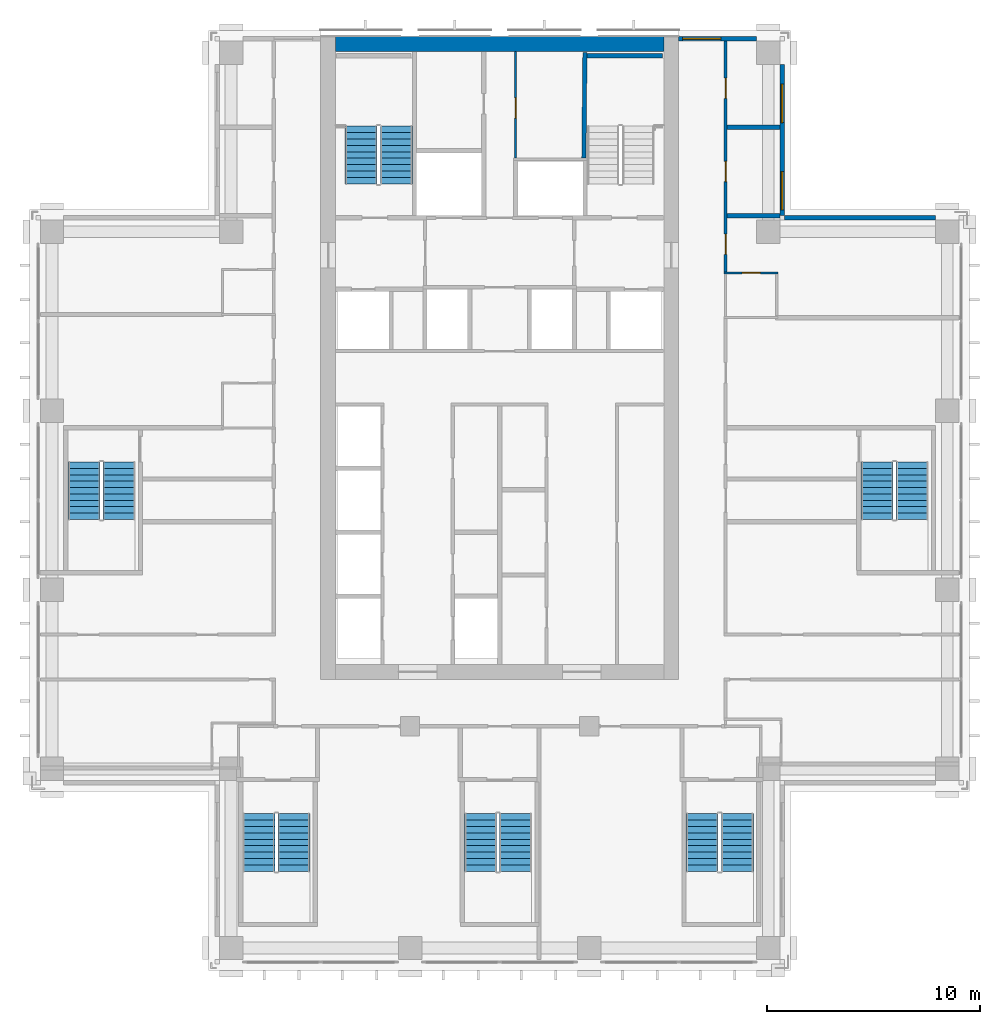
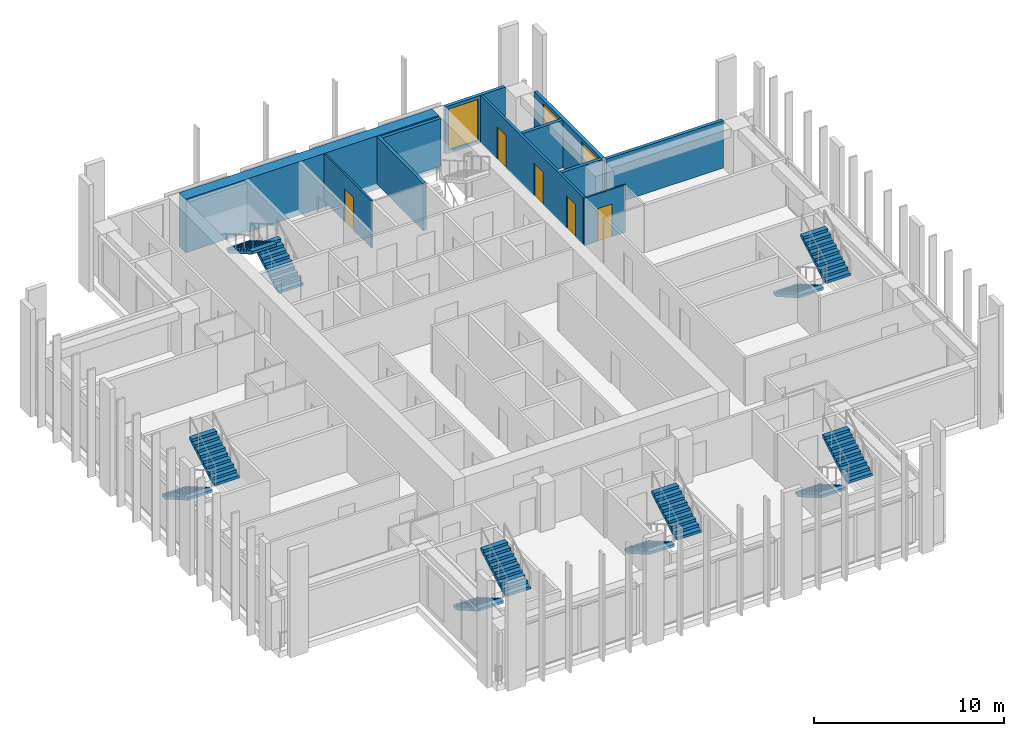
# One storey, part 13 of 17: 12 stair flights, 11 walls, 5 doors, 3 windows, 8 openings, 6 elements without a shape of their own.
"""IFC4 building model written with IfcOpenShell, lengths in metres."""

from ifc_helpers import new_model, si_unit, direction, frame, frame_2d, origin, place, context, subcontext, project, spatial, polyline, rectangle, outline, extrude, material, layer, layer_set, type_object, element, fill, aggregate, save


model = new_model("IFC4")

# Units and contexts
model_context = context("Model", 3, precision=1e-05, world=origin(), true_north=direction((0.0, 1.0)))
body_context = subcontext(model_context, "Body", "Model", "MODEL_VIEW")
ifc_project = project(units=[si_unit("LENGTHUNIT", "METRE"), si_unit("AREAUNIT", "SQUARE_METRE"), si_unit("VOLUMEUNIT", "CUBIC_METRE"), si_unit("PLANEANGLEUNIT", "RADIAN"), si_unit("MASSUNIT", "GRAM", prefix="KILO")], contexts=[model_context])

# Site, building, storey
site_placement = place(None, origin())
site = spatial("IfcSite", under=ifc_project, at=site_placement, CompositionType="ELEMENT")
building_placement = place(site_placement, origin())
building = spatial("IfcBuilding", under=site, at=building_placement, Name="Vermilion Ogive Tower", CompositionType="ELEMENT")
storey_placement = place(building_placement, frame((0.0, 0.0, 157.25)))
storey = spatial("IfcBuildingStorey", under=building, at=storey_placement, Name="L40", CompositionType="ELEMENT", Elevation=157.25)

# Wall
ifc_material_1 = material(Name="Concrete B60", Category="concrete")
ifc_layer_1 = layer(ifc_material_1, 0.699951171875)
ifc_layer_set_1 = layer_set([ifc_layer_1], Name="Core wall 700 B60")
wall_type_1 = type_object("IfcWallType", Name="Core wall 700 B60", PredefinedType="SHEAR", material=ifc_layer_set_1)
wall_1_placement = place(storey_placement, frame((-7.699951171875, 21.39990234375, -0.39990234375), z_axis=(0.0, 0.0, 1.0), x_axis=(1.0, 0.0, 0.0)))
element("IfcWall", 1, at=wall_1_placement, inside=storey, type_object=wall_type_1, Name="L40-CORE-N", PredefinedType="SHEAR", context=body_context, shape_type="SweptSolid", body=[
    extrude(rectangle(XDim=15.39990234375, YDim=0.699951171875, at=frame_2d((7.699951171875, 0.0))), origin(), (0.0, 0.0, 1.0), 3.449951171875),
])

# Wall, opening, door
ifc_material_2 = material(Name="Gypsum board partition on steel studs", Category="steel")
ifc_layer_2 = layer(ifc_material_2, 0.10009765625)
ifc_layer_set_2 = layer_set([ifc_layer_2], Name="Partition 100 bath")
wall_type_2 = type_object("IfcWallType", Name="Partition 100 bath", PredefinedType="PARTITIONING", material=ifc_layer_set_2)
wall_2_placement = place(storey_placement, frame((10.52490234375, 10.669921875, 0.0), z_axis=(0.0, 0.0, 1.0), x_axis=(1.0, 0.0, 0.0)))
wall_2 = element("IfcWall", 2, at=wall_2_placement, inside=storey, type_object=wall_type_2, Name="L40-W-W034", PredefinedType="PARTITIONING", context=body_context, shape_type="SweptSolid", body=[
    extrude(rectangle(XDim=2.525146484375, YDim=0.10009765625, at=frame_2d((1.2626953125, 0.0))), origin(), (0.0, 0.0, 1.0), 3.050048828125),
])
opening_1_placement = place(wall_2_placement, frame((0.85009765625, 0.0, 0.0)))
opening_1 = element("IfcOpeningElement", 3, at=opening_1_placement, cuts=wall_2, Name="Opening D3G4015", PredefinedType="OPENING", context=body_context, shape_type="SweptSolid", body=[
    extrude(rectangle(XDim=0.85009765625, YDim=2.10009765625, at=frame_2d((0.425048828125, 1.050048828125))), frame((0.0, 0.06005859375, 0.0), z_axis=(0.0, -1.0, 0.0), x_axis=(1.0, 0.0, 0.0)), (0.0, 0.0, 1.0), 0.1201171875),
])
ifc_material_3 = material(Name="Timber door leaf", Category="wood")
door_type_1 = type_object("IfcDoorType", Name="Bath door 850 x 2100 FD30", OperationType="SINGLE_SWING_LEFT", PredefinedType="DOOR", material=ifc_material_3)
door_1_placement = place(opening_1_placement, origin())
door_1 = element("IfcDoor", 4, at=door_1_placement, inside=storey, type_object=door_type_1, Name="L40-D-D015", OperationType="SINGLE_SWING_RIGHT", OverallHeight=2.10009765625, OverallWidth=0.85009765625, PredefinedType="DOOR", context=body_context, shape_type="SweptSolid", body=[
    extrude(rectangle(XDim=0.85009765625, YDim=2.10009765625, at=frame_2d((0.425048828125, 1.050048828125))), frame((0.0, 0.02490234375, 0.0), z_axis=(0.0, -1.0, 0.0), x_axis=(1.0, 0.0, 0.0)), (0.0, 0.0, 1.0), 0.050048828125),
])
fill(opening_1, door_1)

wall_3_placement = place(storey_placement, frame((0.75, 16.050048828125, 0.0), z_axis=(0.0, 0.0, 1.0), x_axis=(0.0, 1.0, 0.0)))
wall_3 = element("IfcWall", 5, at=wall_3_placement, inside=storey, type_object=wall_type_2, Name="L40-CK-W-W030", PredefinedType="PARTITIONING", context=body_context, shape_type="SweptSolid", body=[
    extrude(rectangle(XDim=4.9990234375, YDim=0.10009765625, at=frame_2d((2.49951171875, 0.0))), origin(), (0.0, 0.0, 1.0), 3.050048828125),
])
opening_2_placement = place(wall_3_placement, frame((1.875, 0.0, 0.0)))
opening_2 = element("IfcOpeningElement", 6, at=opening_2_placement, cuts=wall_3, Name="Opening DAA359", PredefinedType="OPENING", context=body_context, shape_type="SweptSolid", body=[
    extrude(rectangle(XDim=0.949951171875, YDim=2.10009765625, at=frame_2d((0.47509765625, 1.050048828125))), frame((0.0, 0.06005859375, 0.0), z_axis=(0.0, -1.0, 0.0), x_axis=(1.0, 0.0, 0.0)), (0.0, 0.0, 1.0), 0.1201171875),
])
ifc_material_4 = material(Name="Timber door leaf", Category="wood")
door_type_2 = type_object("IfcDoorType", Name="Service door 950 x 2100 FD60", OperationType="SINGLE_SWING_LEFT", PredefinedType="DOOR", material=ifc_material_4)
door_2_placement = place(opening_2_placement, origin())
door_2 = element("IfcDoor", 7, at=door_2_placement, inside=storey, type_object=door_type_2, Name="L40-CK-D-D022", OperationType="SINGLE_SWING_LEFT", OverallHeight=2.10009765625, OverallWidth=0.949951171875, PredefinedType="DOOR", context=body_context, shape_type="SweptSolid", body=[
    extrude(rectangle(XDim=0.949951171875, YDim=2.10009765625, at=frame_2d((0.47509765625, 1.050048828125))), frame((0.0, 0.02490234375, 0.0), z_axis=(0.0, -1.0, 0.0), x_axis=(1.0, 0.0, 0.0)), (0.0, 0.0, 1.0), 0.050048828125),
])
fill(opening_2, door_2)

# Wall, openings, doors
ifc_material_5 = material(Name="Gypsum board partition on steel studs", Category="steel")
ifc_layer_3 = layer(ifc_material_5, 0.14990234375)
ifc_layer_set_3 = layer_set([ifc_layer_3], Name="Partition 150 corridor")
wall_type_3 = type_object("IfcWallType", Name="Partition 150 corridor", PredefinedType="PARTITIONING", material=ifc_layer_set_3)
wall_4_placement = place(storey_placement, frame((10.60009765625, 10.719970703125, 0.0), z_axis=(0.0, 0.0, 1.0), x_axis=(0.0, 1.0, 0.0)))
wall_4 = element("IfcWall", 8, at=wall_4_placement, inside=storey, type_object=wall_type_3, Name="L40-W-W066", PredefinedType="PARTITIONING", context=body_context, shape_type="SweptSolid", body=[
    extrude(rectangle(XDim=10.830078125, YDim=0.14990234375, at=frame_2d((5.4150390625, 0.0))), origin(), (0.0, 0.0, 1.0), 3.050048828125),
])
opening_3_placement = place(wall_4_placement, frame((0.81494140625, 0.0, 0.0)))
opening_3 = element("IfcOpeningElement", 9, at=opening_3_placement, cuts=wall_4, Name="Opening D3G4014", PredefinedType="OPENING", context=body_context, shape_type="SweptSolid", body=[
    extrude(rectangle(XDim=0.949951171875, YDim=2.10009765625, at=frame_2d((0.47509765625, 1.050048828125))), frame((0.0, 0.0849609375, 0.0), z_axis=(0.0, -1.0, 0.0), x_axis=(1.0, 0.0, 0.0)), (0.0, 0.0, 1.0), 0.169921875),
])
opening_4_placement = place(wall_4_placement, frame((4.22998046875, 0.0, 0.0)))
opening_4 = element("IfcOpeningElement", 10, at=opening_4_placement, cuts=wall_4, Name="Opening D3G4016", PredefinedType="OPENING", context=body_context, shape_type="SweptSolid", body=[
    extrude(rectangle(XDim=0.949951171875, YDim=2.10009765625, at=frame_2d((0.47509765625, 1.050048828125))), frame((0.0, 0.0849609375, 0.0), z_axis=(0.0, -1.0, 0.0), x_axis=(1.0, 0.0, 0.0)), (0.0, 0.0, 1.0), 0.169921875),
])
opening_5_placement = place(wall_4_placement, frame((8.130126953125, 0.0, 0.0)))
opening_5 = element("IfcOpeningElement", 11, at=opening_5_placement, cuts=wall_4, Name="Opening D3G4017", PredefinedType="OPENING", context=body_context, shape_type="SweptSolid", body=[
    extrude(rectangle(XDim=0.949951171875, YDim=2.10009765625, at=frame_2d((0.47509765625, 1.050048828125))), frame((0.0, 0.0849609375, 0.0), z_axis=(0.0, -1.0, 0.0), x_axis=(1.0, 0.0, 0.0)), (0.0, 0.0, 1.0), 0.169921875),
])
ifc_material_6 = material(Name="Timber door leaf", Category="wood")
door_type_3 = type_object("IfcDoorType", Name="Unit door 950 x 2100 FD30S", OperationType="SINGLE_SWING_LEFT", PredefinedType="DOOR", material=ifc_material_6)
door_3_placement = place(opening_3_placement, origin())
door_3 = element("IfcDoor", 12, at=door_3_placement, inside=storey, type_object=door_type_3, Name="L40-D-D014", OperationType="SINGLE_SWING_RIGHT", OverallHeight=2.10009765625, OverallWidth=0.949951171875, PredefinedType="DOOR", context=body_context, shape_type="SweptSolid", body=[
    extrude(rectangle(XDim=0.949951171875, YDim=2.10009765625, at=frame_2d((0.47509765625, 1.050048828125))), frame((0.0, 0.02490234375, 0.0), z_axis=(0.0, -1.0, 0.0), x_axis=(1.0, 0.0, 0.0)), (0.0, 0.0, 1.0), 0.050048828125),
])
fill(opening_3, door_3)
door_4_placement = place(opening_4_placement, origin())
door_4 = element("IfcDoor", 13, at=door_4_placement, inside=storey, type_object=door_type_3, Name="L40-D-D016", OperationType="SINGLE_SWING_RIGHT", OverallHeight=2.10009765625, OverallWidth=0.949951171875, PredefinedType="DOOR", context=body_context, shape_type="SweptSolid", body=[
    extrude(rectangle(XDim=0.949951171875, YDim=2.10009765625, at=frame_2d((0.47509765625, 1.050048828125))), frame((0.0, 0.02490234375, 0.0), z_axis=(0.0, -1.0, 0.0), x_axis=(1.0, 0.0, 0.0)), (0.0, 0.0, 1.0), 0.050048828125),
])
fill(opening_4, door_4)
door_5_placement = place(opening_5_placement, origin())
door_5 = element("IfcDoor", 14, at=door_5_placement, inside=storey, type_object=door_type_3, Name="L40-D-D017", OperationType="SINGLE_SWING_LEFT", OverallHeight=2.10009765625, OverallWidth=0.949951171875, PredefinedType="DOOR", context=body_context, shape_type="SweptSolid", body=[
    extrude(rectangle(XDim=0.949951171875, YDim=2.10009765625, at=frame_2d((0.47509765625, 1.050048828125))), frame((0.0, 0.02490234375, 0.0), z_axis=(0.0, -1.0, 0.0), x_axis=(1.0, 0.0, 0.0)), (0.0, 0.0, 1.0), 0.050048828125),
])
fill(opening_5, door_5)

# Walls
ifc_material_7 = material(Name="Gypsum board partition on steel studs", Category="steel")
ifc_layer_4 = layer(ifc_material_7, 0.199951171875)
ifc_layer_set_4 = layer_set([ifc_layer_4], Name="Partition 200 party")
wall_type_4 = type_object("IfcWallType", Name="Partition 200 party", PredefinedType="PARTITIONING", material=ifc_layer_set_4)
for number, where, z_axis, x_axis, name in (
    (15, (10.675048828125, 13.35009765625, 0.0), (0.0, 0.0, 1.0), (1.0, 0.0, 0.0), "L40-W-W037"),
    (16, (10.675048828125, 17.5, 0.0), (0.0, 0.0, 1.0), (1.0, 0.0, 0.0), "L40-W-W039"),
):
    element("IfcWall", number, at=place(storey_placement, frame(where, z_axis=z_axis, x_axis=x_axis)), inside=storey, type_object=wall_type_4, Name=name, PredefinedType="PARTITIONING", context=body_context, shape_type="SweptSolid", body=[
        extrude(rectangle(XDim=2.474853515625, YDim=0.199951171875, at=frame_2d((1.2373046875, 0.0))), origin(), (0.0, 0.0, 1.0), 3.050048828125),
    ])
ifc_material_8 = material(Name="Concrete B60", Category="concrete")
ifc_layer_5 = layer(ifc_material_8, 0.199951171875)
ifc_layer_set_5 = layer_set([ifc_layer_5], Name="Stair shaft wall 200 Concrete B60")
wall_type_5 = type_object("IfcWallType", Name="Stair shaft wall 200 Concrete B60", PredefinedType="SOLIDWALL", material=ifc_layer_set_5)
wall_5_placement = place(storey_placement, frame((3.949951171875, 16.050048828125, 0.0), z_axis=(0.0, 0.0, 1.0), x_axis=(0.010112452169, 0.999948867848, 0.0)))
element("IfcWall", 17, at=wall_5_placement, inside=storey, type_object=wall_type_5, Name="L40-CK-W-W036", PredefinedType="SOLIDWALL", context=body_context, shape_type="SweptSolid", body=[
    extrude(rectangle(XDim=4.94921875, YDim=0.199951171875, at=frame_2d((2.474609375, 0.0))), origin(), (0.0, 0.0, 1.0), 3.050048828125),
])
wall_6_placement = place(storey_placement, frame((4.10009765625, 20.85009765625, 0.0), z_axis=(0.0, 0.0, 1.0), x_axis=(1.0, 0.0, 0.0)))
element("IfcWall", 18, at=wall_6_placement, inside=storey, type_object=wall_type_5, Name="L40-SW-R022-N1", PredefinedType="SOLIDWALL", context=body_context, shape_type="SweptSolid", body=[
    extrude(rectangle(XDim=3.5498046875, YDim=0.199951171875, at=frame_2d((1.77490234375, 0.0))), origin(), (0.0, 0.0, 1.0), 3.050048828125),
])
ifc_material_9 = material(Name="Aluminium window wall framing", Category="aluminium")
ifc_layer_6 = layer(ifc_material_9, 0.199951171875)
ifc_layer_set_6 = layer_set([ifc_layer_6], Name="Window wall")
wall_type_6 = type_object("IfcWallType", Name="Window wall", PredefinedType="STANDARD", material=ifc_layer_set_6)
wall_7_placement = place(storey_placement, frame((20.449951171875, 13.25, 0.0), z_axis=(0.0, 0.0, 1.0), x_axis=(-1.0, 0.0, 0.0)))
element("IfcWall", 19, at=wall_7_placement, inside=storey, type_object=wall_type_6, Name="Window wall X31", PredefinedType="STANDARD", context=body_context, shape_type="SweptSolid", body=[
    extrude(rectangle(XDim=7.099853515625, YDim=0.199951171875, at=frame_2d((3.5498046875, 0.0))), origin(), (0.0, 0.0, 1.0), 3.050048828125),
])

# Wall, openings, windows
wall_8_placement = place(storey_placement, frame((13.25, 13.35009765625, 0.0), z_axis=(0.0, 0.0, 1.0), x_axis=(0.0, 1.0, 0.0)))
wall_8 = element("IfcWall", 20, at=wall_8_placement, inside=storey, type_object=wall_type_6, Name="Window wall X41", PredefinedType="STANDARD", context=body_context, shape_type="SweptSolid", body=[
    extrude(rectangle(XDim=7.099853515625, YDim=0.199951171875, at=frame_2d((3.5498046875, 0.0))), origin(), (0.0, 0.0, 1.0), 3.050048828125),
])
opening_6_placement = place(wall_8_placement, frame((0.27490234375, 0.0, 0.199951171875)))
opening_6 = element("IfcOpeningElement", 21, at=opening_6_placement, cuts=wall_8, Name="Opening W1-X403", PredefinedType="OPENING", context=body_context, shape_type="SweptSolid", body=[
    extrude(rectangle(XDim=1.800048828125, YDim=2.64990234375, at=frame_2d((0.89990234375, 1.324951171875))), frame((0.0, 0.10986328125, 0.0), z_axis=(0.0, -1.0, 0.0), x_axis=(1.0, 0.0, 0.0)), (0.0, 0.0, 1.0), 0.219970703125),
])
opening_7_placement = place(wall_8_placement, frame((4.3701171875, 0.0, 0.199951171875)))
opening_7 = element("IfcOpeningElement", 22, at=opening_7_placement, cuts=wall_8, Name="Opening W1-X404", PredefinedType="OPENING", context=body_context, shape_type="SweptSolid", body=[
    extrude(rectangle(XDim=1.800048828125, YDim=2.64990234375, at=frame_2d((0.89990234375, 1.324951171875))), frame((0.0, 0.10986328125, 0.0), z_axis=(0.0, -1.0, 0.0), x_axis=(1.0, 0.0, 0.0)), (0.0, 0.0, 1.0), 0.219970703125),
])
ifc_material_10 = material(Name="Aluminium framed double glazing", Category="aluminium")
window_type = type_object("IfcWindowType", Name="Guest window W1", PartitioningType="SINGLE_PANEL", PredefinedType="WINDOW", material=ifc_material_10)
window_1_placement = place(opening_6_placement, origin())
window_1 = element("IfcWindow", 23, at=window_1_placement, inside=storey, type_object=window_type, Name="Window X403", OverallHeight=2.64990234375, OverallWidth=1.800048828125, PartitioningType="SINGLE_PANEL", PredefinedType="WINDOW", context=body_context, shape_type="SweptSolid", body=[
    extrude(rectangle(XDim=1.800048828125, YDim=2.64990234375, at=frame_2d((0.89990234375, 1.324951171875))), frame((0.0, 0.030029296875, 0.0), z_axis=(0.0, -1.0, 0.0), x_axis=(1.0, 0.0, 0.0)), (0.0, 0.0, 1.0), 0.06005859375),
])
fill(opening_6, window_1)
window_2_placement = place(opening_7_placement, origin())
window_2 = element("IfcWindow", 24, at=window_2_placement, inside=storey, type_object=window_type, Name="Window X404", OverallHeight=2.64990234375, OverallWidth=1.800048828125, PartitioningType="SINGLE_PANEL", PredefinedType="WINDOW", context=body_context, shape_type="SweptSolid", body=[
    extrude(rectangle(XDim=1.800048828125, YDim=2.64990234375, at=frame_2d((0.89990234375, 1.324951171875))), frame((0.0, 0.030029296875, 0.0), z_axis=(0.0, -1.0, 0.0), x_axis=(1.0, 0.0, 0.0)), (0.0, 0.0, 1.0), 0.06005859375),
])
fill(opening_7, window_2)

# Wall, opening, window
wall_9_placement = place(storey_placement, frame((12.050048828125, 21.64990234375, 0.0), z_axis=(0.0, 0.0, 1.0), x_axis=(-1.0, 0.0, 0.0)))
wall_9 = element("IfcWall", 25, at=wall_9_placement, inside=storey, type_object=wall_type_6, Name="Window wall N11", PredefinedType="STANDARD", context=body_context, shape_type="SweptSolid", body=[
    extrude(rectangle(XDim=3.650146484375, YDim=0.199951171875, at=frame_2d((1.8251953125, 0.0))), origin(), (0.0, 0.0, 1.0), 3.050048828125),
])
opening_8_placement = place(wall_9_placement, frame((1.669921875, 0.0, 0.199951171875)))
opening_8 = element("IfcOpeningElement", 26, at=opening_8_placement, cuts=wall_9, Name="Opening W1-N102", PredefinedType="OPENING", context=body_context, shape_type="SweptSolid", body=[
    extrude(rectangle(XDim=1.800048828125, YDim=2.64990234375, at=frame_2d((0.89990234375, 1.324951171875))), frame((0.0, 0.10986328125, 0.0), z_axis=(0.0, -1.0, 0.0), x_axis=(1.0, 0.0, 0.0)), (0.0, 0.0, 1.0), 0.219970703125),
])
window_3_placement = place(opening_8_placement, origin())
window_3 = element("IfcWindow", 27, at=window_3_placement, inside=storey, type_object=window_type, Name="Window N102", OverallHeight=2.64990234375, OverallWidth=1.800048828125, PartitioningType="SINGLE_PANEL", PredefinedType="WINDOW", context=body_context, shape_type="SweptSolid", body=[
    extrude(rectangle(XDim=1.800048828125, YDim=2.64990234375, at=frame_2d((0.89990234375, 1.324951171875))), frame((0.0, 0.030029296875, 0.0), z_axis=(0.0, -1.0, 0.0), x_axis=(1.0, 0.0, 0.0)), (0.0, 0.0, 1.0), 0.06005859375),
])
fill(opening_8, window_3)

# Stair, stair flights
ifc_material_11 = material(Name="Concrete B40", Category="concrete")
stair_type = type_object("IfcStairType", Name="Exit stair 1500", PredefinedType="HALF_TURN_STAIR", material=ifc_material_11)
stair_1_placement = place(storey_placement, origin())
stair_1 = element("IfcStair", 28, at=stair_1_placement, inside=storey, type_object=stair_type, Name="L40 Exit Stair ST1", PredefinedType="HALF_TURN_STAIR")
ifc_material_12 = material(Name="Concrete B40", Category="concrete")
stair_flight_type = type_object("IfcStairFlightType", Name="Stair flight 1500", PredefinedType="STRAIGHT", material=ifc_material_12)
stair_flight_1_placement = place(storey_placement, frame((-4.85009765625, 14.85009765625, 0.0), z_axis=(0.0, 0.0, 1.0), x_axis=(0.0, 1.0, 0.0)))
stair_flight_1 = element("IfcStairFlight", 29, at=stair_flight_1_placement, type_object=stair_flight_type, Name="ST1 flight 1", NumberOfRisers=10, NumberOfTreads=9, PredefinedType="STRAIGHT", RiserHeight=0.1725, TreadLength=0.3, context=body_context, shape_type="SweptSolid", body=[
    extrude(outline(polyline([(0.0, 0.0), (0.0, 0.172607421875), (0.300048828125, 0.172607421875), (0.300048828125, 0.344970703125), (0.60009765625, 0.344970703125), (0.60009765625, 0.517578125), (0.89990234375, 0.517578125), (0.89990234375, 0.68994140625), (1.199951171875, 0.68994140625), (1.199951171875, 0.862548828125), (1.5, 0.862548828125), (1.5, 1.034912109375), (1.800048828125, 1.034912109375), (1.800048828125, 1.20751953125), (2.10009765625, 1.20751953125), (2.10009765625, 1.3798828125), (2.39990234375, 1.3798828125), (2.39990234375, 1.552490234375), (2.699951171875, 1.552490234375), (2.699951171875, 1.72509765625), (2.699951171875, 1.379638671875), (0.30078125, 0.0), (0.0, 0.0)])), frame((0.0, 0.75, 0.0), z_axis=(0.0, -1.0, 0.0), x_axis=(1.0, 0.0, 0.0)), (0.0, 0.0, 1.0), 1.5),
])
stair_flight_2_placement = place(storey_placement, frame((-6.5, 17.550048828125, 1.72509765625), z_axis=(0.0, 0.0, 1.0), x_axis=(0.0, -1.0, 0.0)))
stair_flight_2 = element("IfcStairFlight", 30, at=stair_flight_2_placement, type_object=stair_flight_type, Name="ST1 flight 2", NumberOfRisers=10, NumberOfTreads=9, PredefinedType="STRAIGHT", RiserHeight=0.1725, TreadLength=0.3, context=body_context, shape_type="SweptSolid", body=[
    extrude(outline(polyline([(0.0, 0.0), (0.0, 0.172607421875), (0.300048828125, 0.172607421875), (0.300048828125, 0.344970703125), (0.60009765625, 0.344970703125), (0.60009765625, 0.517578125), (0.89990234375, 0.517578125), (0.89990234375, 0.68994140625), (1.199951171875, 0.68994140625), (1.199951171875, 0.862548828125), (1.5, 0.862548828125), (1.5, 1.034912109375), (1.800048828125, 1.034912109375), (1.800048828125, 1.20751953125), (2.10009765625, 1.20751953125), (2.10009765625, 1.3798828125), (2.39990234375, 1.3798828125), (2.39990234375, 1.552490234375), (2.699951171875, 1.552490234375), (2.699951171875, 1.72509765625), (2.699951171875, 1.379638671875), (0.30078125, 0.0), (0.0, 0.0)])), frame((0.0, 0.75, 0.0), z_axis=(0.0, -1.0, 0.0), x_axis=(1.0, 0.0, 0.0)), (0.0, 0.0, 1.0), 1.5),
])
aggregate(stair_1, [stair_flight_1, stair_flight_2])

stair_2_placement = place(storey_placement, origin())
stair_2 = element("IfcStair", 31, at=stair_2_placement, inside=storey, type_object=stair_type, Name="L40 Exit Stair ST3", PredefinedType="HALF_TURN_STAIR")
stair_flight_3_placement = place(storey_placement, frame((-11.300048828125, -14.699951171875, 0.0), z_axis=(0.0, 0.0, 1.0), x_axis=(0.0, -1.0, 0.0)))
stair_flight_3 = element("IfcStairFlight", 32, at=stair_flight_3_placement, type_object=stair_flight_type, Name="ST3 flight 1", NumberOfRisers=10, NumberOfTreads=9, PredefinedType="STRAIGHT", RiserHeight=0.1725, TreadLength=0.3, context=body_context, shape_type="SweptSolid", body=[
    extrude(outline(polyline([(0.0, 0.0), (0.0, 0.172607421875), (0.300048828125, 0.172607421875), (0.300048828125, 0.344970703125), (0.60009765625, 0.344970703125), (0.60009765625, 0.517578125), (0.89990234375, 0.517578125), (0.89990234375, 0.68994140625), (1.199951171875, 0.68994140625), (1.199951171875, 0.862548828125), (1.5, 0.862548828125), (1.5, 1.034912109375), (1.800048828125, 1.034912109375), (1.800048828125, 1.20751953125), (2.10009765625, 1.20751953125), (2.10009765625, 1.3798828125), (2.39990234375, 1.3798828125), (2.39990234375, 1.552490234375), (2.699951171875, 1.552490234375), (2.699951171875, 1.72509765625), (2.699951171875, 1.379638671875), (0.30078125, 0.0), (0.0, 0.0)])), frame((0.0, 0.75, 0.0), z_axis=(0.0, -1.0, 0.0), x_axis=(1.0, 0.0, 0.0)), (0.0, 0.0, 1.0), 1.5),
])
stair_flight_4_placement = place(storey_placement, frame((-9.64990234375, -17.39990234375, 1.72509765625), z_axis=(0.0, 0.0, 1.0), x_axis=(0.0, 1.0, 0.0)))
stair_flight_4 = element("IfcStairFlight", 33, at=stair_flight_4_placement, type_object=stair_flight_type, Name="ST3 flight 2", NumberOfRisers=10, NumberOfTreads=9, PredefinedType="STRAIGHT", RiserHeight=0.1725, TreadLength=0.3, context=body_context, shape_type="SweptSolid", body=[
    extrude(outline(polyline([(0.0, 0.0), (0.0, 0.172607421875), (0.300048828125, 0.172607421875), (0.300048828125, 0.344970703125), (0.60009765625, 0.344970703125), (0.60009765625, 0.517578125), (0.89990234375, 0.517578125), (0.89990234375, 0.68994140625), (1.199951171875, 0.68994140625), (1.199951171875, 0.862548828125), (1.5, 0.862548828125), (1.5, 1.034912109375), (1.800048828125, 1.034912109375), (1.800048828125, 1.20751953125), (2.10009765625, 1.20751953125), (2.10009765625, 1.3798828125), (2.39990234375, 1.3798828125), (2.39990234375, 1.552490234375), (2.699951171875, 1.552490234375), (2.699951171875, 1.72509765625), (2.699951171875, 1.379638671875), (0.30078125, 0.0), (0.0, 0.0)])), frame((0.0, 0.75, 0.0), z_axis=(0.0, -1.0, 0.0), x_axis=(1.0, 0.0, 0.0)), (0.0, 0.0, 1.0), 1.5),
])
aggregate(stair_2, [stair_flight_3, stair_flight_4])

stair_3_placement = place(storey_placement, origin())
stair_3 = element("IfcStair", 34, at=stair_3_placement, inside=storey, type_object=stair_type, Name="L40 Exit Stair ST4", PredefinedType="HALF_TURN_STAIR")
stair_flight_5_placement = place(storey_placement, frame((-0.89990234375, -14.699951171875, 0.0), z_axis=(0.0, 0.0, 1.0), x_axis=(0.0, -1.0, 0.0)))
stair_flight_5 = element("IfcStairFlight", 35, at=stair_flight_5_placement, type_object=stair_flight_type, Name="ST4 flight 1", NumberOfRisers=10, NumberOfTreads=9, PredefinedType="STRAIGHT", RiserHeight=0.1725, TreadLength=0.3, context=body_context, shape_type="SweptSolid", body=[
    extrude(outline(polyline([(0.0, 0.0), (0.0, 0.172607421875), (0.300048828125, 0.172607421875), (0.300048828125, 0.344970703125), (0.60009765625, 0.344970703125), (0.60009765625, 0.517578125), (0.89990234375, 0.517578125), (0.89990234375, 0.68994140625), (1.199951171875, 0.68994140625), (1.199951171875, 0.862548828125), (1.5, 0.862548828125), (1.5, 1.034912109375), (1.800048828125, 1.034912109375), (1.800048828125, 1.20751953125), (2.10009765625, 1.20751953125), (2.10009765625, 1.3798828125), (2.39990234375, 1.3798828125), (2.39990234375, 1.552490234375), (2.699951171875, 1.552490234375), (2.699951171875, 1.72509765625), (2.699951171875, 1.379638671875), (0.30078125, 0.0), (0.0, 0.0)])), frame((0.0, 0.75, 0.0), z_axis=(0.0, -1.0, 0.0), x_axis=(1.0, 0.0, 0.0)), (0.0, 0.0, 1.0), 1.5),
])
stair_flight_6_placement = place(storey_placement, frame((0.75, -17.39990234375, 1.72509765625), z_axis=(0.0, 0.0, 1.0), x_axis=(0.0, 1.0, 0.0)))
stair_flight_6 = element("IfcStairFlight", 36, at=stair_flight_6_placement, type_object=stair_flight_type, Name="ST4 flight 2", NumberOfRisers=10, NumberOfTreads=9, PredefinedType="STRAIGHT", RiserHeight=0.1725, TreadLength=0.3, context=body_context, shape_type="SweptSolid", body=[
    extrude(outline(polyline([(0.0, 0.0), (0.0, 0.172607421875), (0.300048828125, 0.172607421875), (0.300048828125, 0.344970703125), (0.60009765625, 0.344970703125), (0.60009765625, 0.517578125), (0.89990234375, 0.517578125), (0.89990234375, 0.68994140625), (1.199951171875, 0.68994140625), (1.199951171875, 0.862548828125), (1.5, 0.862548828125), (1.5, 1.034912109375), (1.800048828125, 1.034912109375), (1.800048828125, 1.20751953125), (2.10009765625, 1.20751953125), (2.10009765625, 1.3798828125), (2.39990234375, 1.3798828125), (2.39990234375, 1.552490234375), (2.699951171875, 1.552490234375), (2.699951171875, 1.72509765625), (2.699951171875, 1.379638671875), (0.30078125, 0.0), (0.0, 0.0)])), frame((0.0, 0.75, 0.0), z_axis=(0.0, -1.0, 0.0), x_axis=(1.0, 0.0, 0.0)), (0.0, 0.0, 1.0), 1.5),
])
aggregate(stair_3, [stair_flight_5, stair_flight_6])

stair_4_placement = place(storey_placement, origin())
stair_4 = element("IfcStair", 37, at=stair_4_placement, inside=storey, type_object=stair_type, Name="L40 Exit Stair ST5", PredefinedType="HALF_TURN_STAIR")
stair_flight_7_placement = place(storey_placement, frame((9.5, -14.699951171875, 0.0), z_axis=(0.0, 0.0, 1.0), x_axis=(0.0, -1.0, 0.0)))
stair_flight_7 = element("IfcStairFlight", 38, at=stair_flight_7_placement, type_object=stair_flight_type, Name="ST5 flight 1", NumberOfRisers=10, NumberOfTreads=9, PredefinedType="STRAIGHT", RiserHeight=0.1725, TreadLength=0.3, context=body_context, shape_type="SweptSolid", body=[
    extrude(outline(polyline([(0.0, 0.0), (0.0, 0.172607421875), (0.300048828125, 0.172607421875), (0.300048828125, 0.344970703125), (0.60009765625, 0.344970703125), (0.60009765625, 0.517578125), (0.89990234375, 0.517578125), (0.89990234375, 0.68994140625), (1.199951171875, 0.68994140625), (1.199951171875, 0.862548828125), (1.5, 0.862548828125), (1.5, 1.034912109375), (1.800048828125, 1.034912109375), (1.800048828125, 1.20751953125), (2.10009765625, 1.20751953125), (2.10009765625, 1.3798828125), (2.39990234375, 1.3798828125), (2.39990234375, 1.552490234375), (2.699951171875, 1.552490234375), (2.699951171875, 1.72509765625), (2.699951171875, 1.379638671875), (0.30078125, 0.0), (0.0, 0.0)])), frame((0.0, 0.75, 0.0), z_axis=(0.0, -1.0, 0.0), x_axis=(1.0, 0.0, 0.0)), (0.0, 0.0, 1.0), 1.5),
])
stair_flight_8_placement = place(storey_placement, frame((11.14990234375, -17.39990234375, 1.72509765625), z_axis=(0.0, 0.0, 1.0), x_axis=(0.0, 1.0, 0.0)))
stair_flight_8 = element("IfcStairFlight", 39, at=stair_flight_8_placement, type_object=stair_flight_type, Name="ST5 flight 2", NumberOfRisers=10, NumberOfTreads=9, PredefinedType="STRAIGHT", RiserHeight=0.1725, TreadLength=0.3, context=body_context, shape_type="SweptSolid", body=[
    extrude(outline(polyline([(0.0, 0.0), (0.0, 0.172607421875), (0.300048828125, 0.172607421875), (0.300048828125, 0.344970703125), (0.60009765625, 0.344970703125), (0.60009765625, 0.517578125), (0.89990234375, 0.517578125), (0.89990234375, 0.68994140625), (1.199951171875, 0.68994140625), (1.199951171875, 0.862548828125), (1.5, 0.862548828125), (1.5, 1.034912109375), (1.800048828125, 1.034912109375), (1.800048828125, 1.20751953125), (2.10009765625, 1.20751953125), (2.10009765625, 1.3798828125), (2.39990234375, 1.3798828125), (2.39990234375, 1.552490234375), (2.699951171875, 1.552490234375), (2.699951171875, 1.72509765625), (2.699951171875, 1.379638671875), (0.30078125, 0.0), (0.0, 0.0)])), frame((0.0, 0.75, 0.0), z_axis=(0.0, -1.0, 0.0), x_axis=(1.0, 0.0, 0.0)), (0.0, 0.0, 1.0), 1.5),
])
aggregate(stair_4, [stair_flight_7, stair_flight_8])

stair_5_placement = place(storey_placement, origin())
stair_5 = element("IfcStair", 40, at=stair_5_placement, inside=storey, type_object=stair_type, Name="L40 Exit Stair ST8", PredefinedType="HALF_TURN_STAIR")
stair_flight_9_placement = place(storey_placement, frame((17.699951171875, 1.800048828125, 0.0), z_axis=(0.0, 0.0, 1.0), x_axis=(0.0, -1.0, 0.0)))
stair_flight_9 = element("IfcStairFlight", 41, at=stair_flight_9_placement, type_object=stair_flight_type, Name="ST8 flight 1", NumberOfRisers=10, NumberOfTreads=9, PredefinedType="STRAIGHT", RiserHeight=0.1725, TreadLength=0.3, context=body_context, shape_type="SweptSolid", body=[
    extrude(outline(polyline([(0.0, 0.0), (0.0, 0.172607421875), (0.300048828125, 0.172607421875), (0.300048828125, 0.344970703125), (0.60009765625, 0.344970703125), (0.60009765625, 0.517578125), (0.89990234375, 0.517578125), (0.89990234375, 0.68994140625), (1.199951171875, 0.68994140625), (1.199951171875, 0.862548828125), (1.5, 0.862548828125), (1.5, 1.034912109375), (1.800048828125, 1.034912109375), (1.800048828125, 1.20751953125), (2.10009765625, 1.20751953125), (2.10009765625, 1.3798828125), (2.39990234375, 1.3798828125), (2.39990234375, 1.552490234375), (2.699951171875, 1.552490234375), (2.699951171875, 1.72509765625), (2.699951171875, 1.379638671875), (0.30078125, 0.0), (0.0, 0.0)])), frame((0.0, 0.75, 0.0), z_axis=(0.0, -1.0, 0.0), x_axis=(1.0, 0.0, 0.0)), (0.0, 0.0, 1.0), 1.5),
])
stair_flight_10_placement = place(storey_placement, frame((19.35009765625, -0.89990234375, 1.72509765625), z_axis=(0.0, 0.0, 1.0), x_axis=(0.0, 1.0, 0.0)))
stair_flight_10 = element("IfcStairFlight", 42, at=stair_flight_10_placement, type_object=stair_flight_type, Name="ST8 flight 2", NumberOfRisers=10, NumberOfTreads=9, PredefinedType="STRAIGHT", RiserHeight=0.1725, TreadLength=0.3, context=body_context, shape_type="SweptSolid", body=[
    extrude(outline(polyline([(0.0, 0.0), (0.0, 0.172607421875), (0.300048828125, 0.172607421875), (0.300048828125, 0.344970703125), (0.60009765625, 0.344970703125), (0.60009765625, 0.517578125), (0.89990234375, 0.517578125), (0.89990234375, 0.68994140625), (1.199951171875, 0.68994140625), (1.199951171875, 0.862548828125), (1.5, 0.862548828125), (1.5, 1.034912109375), (1.800048828125, 1.034912109375), (1.800048828125, 1.20751953125), (2.10009765625, 1.20751953125), (2.10009765625, 1.3798828125), (2.39990234375, 1.3798828125), (2.39990234375, 1.552490234375), (2.699951171875, 1.552490234375), (2.699951171875, 1.72509765625), (2.699951171875, 1.379638671875), (0.30078125, 0.0), (0.0, 0.0)])), frame((0.0, 0.75, 0.0), z_axis=(0.0, -1.0, 0.0), x_axis=(1.0, 0.0, 0.0)), (0.0, 0.0, 1.0), 1.5),
])
aggregate(stair_5, [stair_flight_9, stair_flight_10])

stair_6_placement = place(storey_placement, origin())
stair_6 = element("IfcStair", 43, at=stair_6_placement, inside=storey, type_object=stair_type, Name="L40 Exit Stair ST9", PredefinedType="HALF_TURN_STAIR")
stair_flight_11_placement = place(storey_placement, frame((-19.5, 1.800048828125, 0.0), z_axis=(0.0, 0.0, 1.0), x_axis=(0.0, -1.0, 0.0)))
stair_flight_11 = element("IfcStairFlight", 44, at=stair_flight_11_placement, type_object=stair_flight_type, Name="ST9 flight 1", NumberOfRisers=10, NumberOfTreads=9, PredefinedType="STRAIGHT", RiserHeight=0.1725, TreadLength=0.3, context=body_context, shape_type="SweptSolid", body=[
    extrude(outline(polyline([(0.0, 0.0), (0.0, 0.172607421875), (0.300048828125, 0.172607421875), (0.300048828125, 0.344970703125), (0.60009765625, 0.344970703125), (0.60009765625, 0.517578125), (0.89990234375, 0.517578125), (0.89990234375, 0.68994140625), (1.199951171875, 0.68994140625), (1.199951171875, 0.862548828125), (1.5, 0.862548828125), (1.5, 1.034912109375), (1.800048828125, 1.034912109375), (1.800048828125, 1.20751953125), (2.10009765625, 1.20751953125), (2.10009765625, 1.3798828125), (2.39990234375, 1.3798828125), (2.39990234375, 1.552490234375), (2.699951171875, 1.552490234375), (2.699951171875, 1.72509765625), (2.699951171875, 1.379638671875), (0.30078125, 0.0), (0.0, 0.0)])), frame((0.0, 0.75, 0.0), z_axis=(0.0, -1.0, 0.0), x_axis=(1.0, 0.0, 0.0)), (0.0, 0.0, 1.0), 1.5),
])
stair_flight_12_placement = place(storey_placement, frame((-17.85009765625, -0.89990234375, 1.72509765625), z_axis=(0.0, 0.0, 1.0), x_axis=(0.0, 1.0, 0.0)))
stair_flight_12 = element("IfcStairFlight", 45, at=stair_flight_12_placement, type_object=stair_flight_type, Name="ST9 flight 2", NumberOfRisers=10, NumberOfTreads=9, PredefinedType="STRAIGHT", RiserHeight=0.1725, TreadLength=0.3, context=body_context, shape_type="SweptSolid", body=[
    extrude(outline(polyline([(0.0, 0.0), (0.0, 0.172607421875), (0.300048828125, 0.172607421875), (0.300048828125, 0.344970703125), (0.60009765625, 0.344970703125), (0.60009765625, 0.517578125), (0.89990234375, 0.517578125), (0.89990234375, 0.68994140625), (1.199951171875, 0.68994140625), (1.199951171875, 0.862548828125), (1.5, 0.862548828125), (1.5, 1.034912109375), (1.800048828125, 1.034912109375), (1.800048828125, 1.20751953125), (2.10009765625, 1.20751953125), (2.10009765625, 1.3798828125), (2.39990234375, 1.3798828125), (2.39990234375, 1.552490234375), (2.699951171875, 1.552490234375), (2.699951171875, 1.72509765625), (2.699951171875, 1.379638671875), (0.30078125, 0.0), (0.0, 0.0)])), frame((0.0, 0.75, 0.0), z_axis=(0.0, -1.0, 0.0), x_axis=(1.0, 0.0, 0.0)), (0.0, 0.0, 1.0), 1.5),
])
aggregate(stair_6, [stair_flight_11, stair_flight_12])

save(model, "model.ifc")
